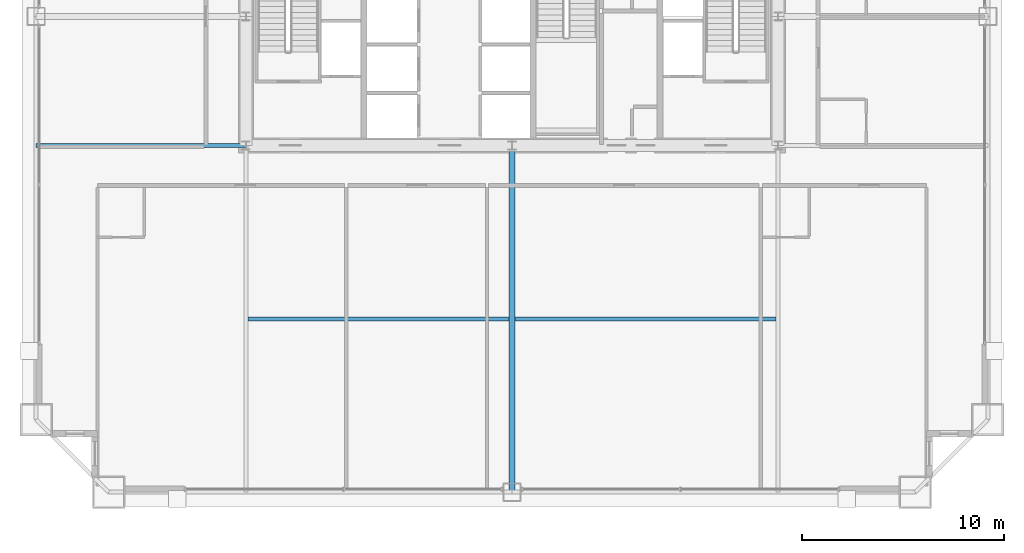
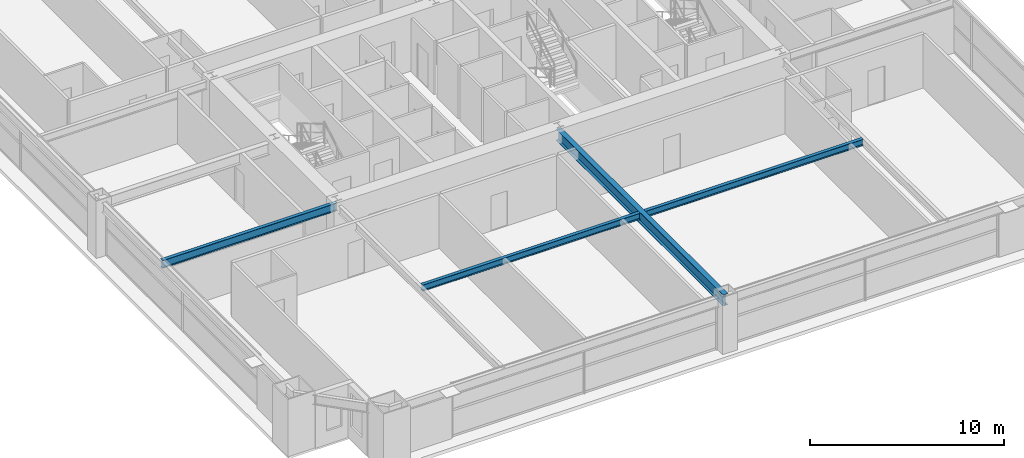
# One storey, part 10 of 38: 4 beams.
"""IFC4 building model written with IfcOpenShell, lengths in metres."""

from ifc_helpers import new_model, si_unit, direction, frame, origin, origin_2d, place, context, subcontext, project, spatial, i_section, extrude, source, transform, mapped, material, material_profile, profile_set, type_object, element, save


model = new_model("IFC4")

# Units and contexts
model_context = context("Model", 3, precision=1e-05, world=origin(), true_north=direction((0.0, 1.0)))
body_context = subcontext(model_context, "Body", "Model", "MODEL_VIEW")
ifc_project = project(units=[si_unit("LENGTHUNIT", "METRE"), si_unit("AREAUNIT", "SQUARE_METRE"), si_unit("VOLUMEUNIT", "CUBIC_METRE"), si_unit("PLANEANGLEUNIT", "RADIAN"), si_unit("MASSUNIT", "GRAM", prefix="KILO"), si_unit("THERMODYNAMICTEMPERATUREUNIT", "KELVIN"), si_unit("POWERUNIT", "WATT")], contexts=[model_context])

# Site, building, storey
site_placement = place(None, origin())
site = spatial("IfcSite", under=ifc_project, at=site_placement, CompositionType="ELEMENT")
building_placement = place(site_placement, origin())
building = spatial("IfcBuilding", under=site, at=building_placement, Name="Yuzanri Waterfront Tower", CompositionType="ELEMENT")
storey_placement = place(building_placement, frame((0.0, 0.0, 111.800048828125)))
storey = spatial("IfcBuildingStorey", under=building, at=storey_placement, Name="L29", CompositionType="ELEMENT", Elevation=111.800048828125)

# Beams
ifc_material_1 = material(Name="Steel Q355B", Category="steel")
ifc_material_profile_1 = material_profile(ifc_material_1, i_section(OverallWidth=0.199951171875, OverallDepth=0.39990234375, WebThickness=0.008056640625, FlangeThickness=0.012939453125, at=origin_2d()), Name="HN 400x200x8x13")
ifc_profile_set_1 = profile_set([ifc_material_profile_1], Name="Steel Q355B")
beam_type_1 = type_object("IfcBeamType", Name="Floor Joist Q355B HN 400x200", PredefinedType="JOIST", material=ifc_profile_set_1)
shared_shape_1 = source(origin(), body_context, "Body", "SweptSolid", [
    extrude(i_section(OverallWidth=0.199951171875, OverallDepth=0.39990234375, WebThickness=0.008056640625, FlangeThickness=0.012939453125, at=origin_2d()), origin(), (0.0, 0.0, 1.0), 12.9501953125),
])
for number, where, z_axis, x_axis, name in (
    (1, (23.89990234375, 10.800048828125, 3.179931640625), (1.0, 0.0, 0.0), (0.0, 1.0, 0.0), "L29 South Bay Joist W"),
    (2, (37.14990234375, 10.800048828125, 3.179931640625), (1.0, 0.0, 0.0), (0.0, 1.0, 0.0), "L29 South Bay Joist E"),
):
    element("IfcBeam", number, at=place(storey_placement, frame(where, z_axis=z_axis, x_axis=x_axis)), inside=storey, type_object=beam_type_1, Name=name, PredefinedType="JOIST", context=body_context, shape_type="MappedRepresentation", body=[
        mapped(shared_shape_1, transform((0.0, 0.0, 0.0), scale=1.0)),
    ])
ifc_material_2 = material(Name="Steel Q355B", Category="steel")
ifc_material_profile_2 = material_profile(ifc_material_2, i_section(OverallWidth=0.300048828125, OverallDepth=0.699951171875, WebThickness=0.012939453125, FlangeThickness=0.02392578125, at=origin_2d()), Name="HN 700x300x13x24")
ifc_profile_set_2 = profile_set([ifc_material_profile_2], Name="Steel Q355B")
beam_type_2 = type_object("IfcBeamType", Name="Primary Floor Girder Q355B HN 700x300", PredefinedType="BEAM", material=ifc_profile_set_2)
shared_shape_2 = source(origin(), body_context, "Body", "SweptSolid", [
    extrude(i_section(OverallWidth=0.300048828125, OverallDepth=0.699951171875, WebThickness=0.012939453125, FlangeThickness=0.02392578125, at=origin_2d()), origin(), (0.0, 0.0, 1.0), 17.199951171875),
])
beam_1_placement = place(storey_placement, frame((37.0, 19.39990234375, 3.030029296875), z_axis=(0.0, -1.0, 0.0), x_axis=(1.0, 0.0, 0.0)))
element("IfcBeam", 3, at=beam_1_placement, inside=storey, type_object=beam_type_2, Name="L29 South Grid Girder", PredefinedType="BEAM", context=body_context, shape_type="MappedRepresentation", body=[
    mapped(shared_shape_2, transform((0.0, 0.0, 0.0), scale=1.0)),
])
ifc_material_3 = material(Name="Steel Q355B", Category="steel")
ifc_material_profile_3 = material_profile(ifc_material_3, i_section(OverallWidth=0.199951171875, OverallDepth=0.5, WebThickness=0.010009765625, FlangeThickness=0.01611328125, at=origin_2d()), Name="HN 500x200x10x16")
ifc_profile_set_3 = profile_set([ifc_material_profile_3], Name="Steel Q355B")
beam_type_3 = type_object("IfcBeamType", Name="Secondary Floor Beam Q355B HN 500x200", PredefinedType="BEAM", material=ifc_profile_set_3)
shared_shape_3 = source(origin(), body_context, "Body", "SweptSolid", [
    extrude(i_section(OverallWidth=0.199951171875, OverallDepth=0.5, WebThickness=0.010009765625, FlangeThickness=0.01611328125, at=origin_2d()), origin(), (0.0, 0.0, 1.0), 10.400146484375),
])
beam_2_placement = place(storey_placement, frame((23.800048828125, 19.39990234375, 3.1298828125), z_axis=(-1.0, 0.0, 0.0), x_axis=(0.0, -1.0, 0.0)))
element("IfcBeam", 4, at=beam_2_placement, inside=storey, type_object=beam_type_3, Name="L29 West-South Core Line Beam", PredefinedType="BEAM", context=body_context, shape_type="MappedRepresentation", body=[
    mapped(shared_shape_3, transform((0.0, 0.0, 0.0), scale=1.0)),
])

save(model, "model.ifc")
